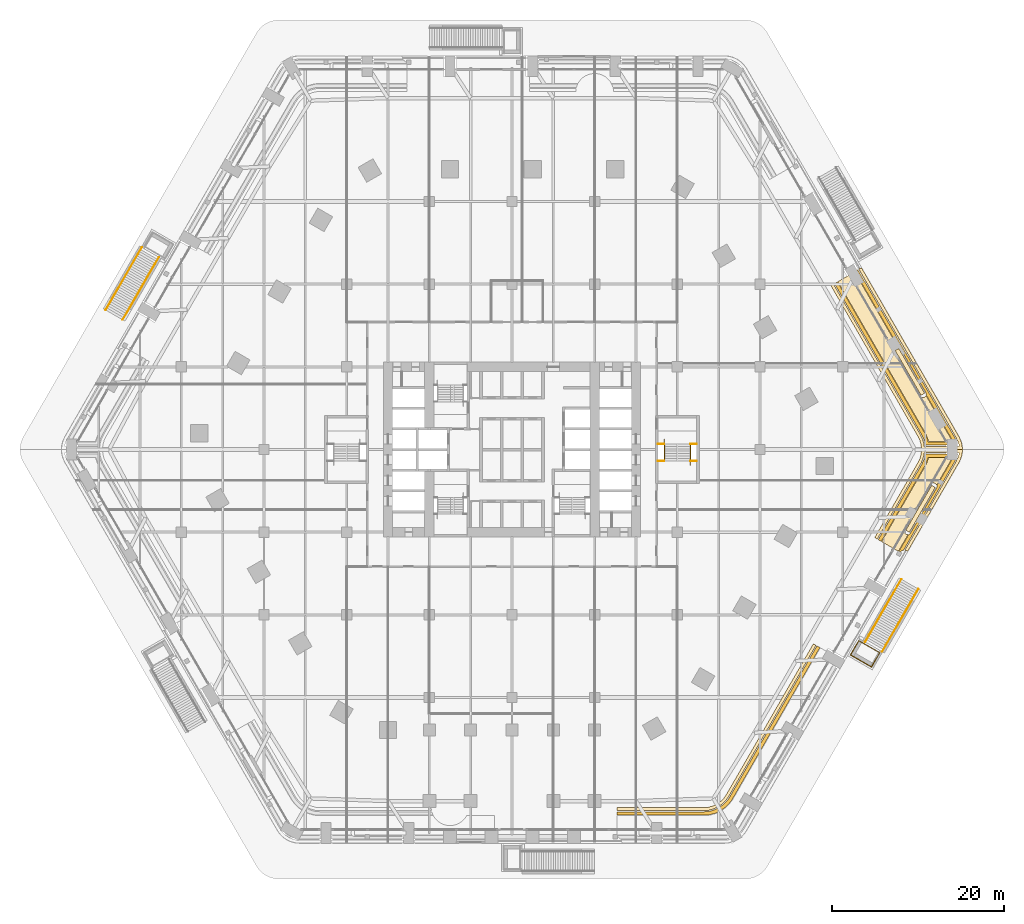
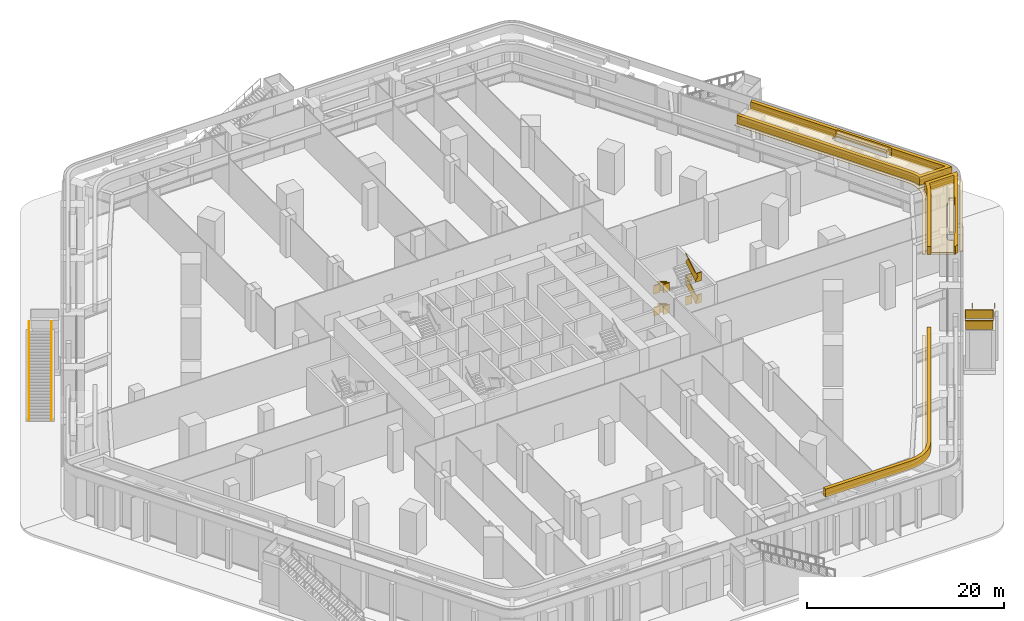
# One storey, part 32 of 34: 10 coverings, 7 railings.
"""IFC4 building model written with IfcOpenShell, lengths in metres."""

from ifc_helpers import new_model, si_unit, direction, frame, frame_2d, origin, origin_2d, place, context, subcontext, project, spatial, polyline, rectangle, circle, outline, extrude, material, layer, layer_set, type_object, element, save


model = new_model("IFC4")

# Units and contexts
model_context = context("Model", 3, precision=1e-05, world=origin(), true_north=direction((0.0, 1.0)))
body_context = subcontext(model_context, "Body", "Model", "MODEL_VIEW")
ifc_project = project(units=[si_unit("LENGTHUNIT", "METRE"), si_unit("AREAUNIT", "SQUARE_METRE"), si_unit("VOLUMEUNIT", "CUBIC_METRE"), si_unit("PLANEANGLEUNIT", "RADIAN"), si_unit("MASSUNIT", "GRAM", prefix="KILO")], contexts=[model_context])

# Site, building, storey
site_placement = place(None, origin())
site = spatial("IfcSite", under=ifc_project, at=site_placement, CompositionType="ELEMENT")
building_placement = place(site_placement, origin())
building = spatial("IfcBuilding", under=site, at=building_placement, Name="Kolab Exchange Tower", CompositionType="ELEMENT")
storey_placement = place(building_placement, frame((0.0, 0.0, 7.0)))
storey = spatial("IfcBuildingStorey", under=building, at=storey_placement, Name="L01", CompositionType="ELEMENT", Elevation=7.0)

# Railings
ifc_material_1 = material(Name="Stainless steel 316", Category="steel")
railing_type_1 = type_object("IfcRailingType", Name="GUARD 1100", PredefinedType="GUARDRAIL", material=ifc_material_1)
railing_1_placement = place(storey_placement, frame((16.949951171875, 0.64990234375, 0.0)))
element("IfcRailing", 1, at=railing_1_placement, inside=storey, type_object=railing_type_1, Name="Guard ST4", PredefinedType="GUARDRAIL", context=body_context, shape_type="SweptSolid", body=[
    extrude(rectangle(XDim=0.05, YDim=0.05, at=origin_2d()), frame((0.0, 0.0, 1.0751953125), z_axis=(1.0, 0.0, 0.0), x_axis=(0.0, 1.0, 0.0)), (0.0, 0.0, 1.0), 0.739990234375),
    extrude(rectangle(XDim=0.012, YDim=1.05009765625, at=frame_2d((0.0, 0.525146484375))), frame((0.0, 0.0, 0.0), z_axis=(1.0, 0.0, 0.0), x_axis=(0.0, 1.0, 0.0)), (0.0, 0.0, 1.0), 0.739990234375),
    extrude(rectangle(XDim=0.05, YDim=0.05, at=origin_2d()), frame((3.760009765625, 0.0, 1.0751953125), z_axis=(1.0, 0.0, 0.0), x_axis=(0.0, 1.0, 0.0)), (0.0, 0.0, 1.0), 0.739990234375),
    extrude(rectangle(XDim=0.012, YDim=1.05009765625, at=frame_2d((0.0, 0.525146484375))), frame((3.760009765625, 0.0, 0.0), z_axis=(1.0, 0.0, 0.0), x_axis=(0.0, 1.0, 0.0)), (0.0, 0.0, 1.0), 0.739990234375),
    extrude(rectangle(XDim=0.05, YDim=0.05, at=origin_2d()), frame((0.0, -1.9599609375, 2.42529296875), z_axis=(1.0, 0.0, 0.0), x_axis=(0.0, 1.0, 0.0)), (0.0, 0.0, 1.0), 0.739990234375),
    extrude(rectangle(XDim=0.012, YDim=1.05009765625, at=frame_2d((0.0, 0.525146484375))), frame((0.0, -1.9599609375, 1.35009765625), z_axis=(1.0, 0.0, 0.0), x_axis=(0.0, 1.0, 0.0)), (0.0, 0.0, 1.0), 0.739990234375),
    extrude(rectangle(XDim=0.05, YDim=0.05, at=origin_2d()), frame((3.760009765625, -1.9599609375, 2.42529296875), z_axis=(1.0, 0.0, 0.0), x_axis=(0.0, 1.0, 0.0)), (0.0, 0.0, 1.0), 0.739990234375),
    extrude(rectangle(XDim=0.012, YDim=1.05009765625, at=frame_2d((0.0, 0.525146484375))), frame((3.760009765625, -1.9599609375, 1.35009765625), z_axis=(1.0, 0.0, 0.0), x_axis=(0.0, 1.0, 0.0)), (0.0, 0.0, 1.0), 0.739990234375),
    extrude(rectangle(XDim=0.05, YDim=0.05, at=origin_2d()), frame((0.0, 0.0, 3.775146484375), z_axis=(1.0, 0.0, 0.0), x_axis=(0.0, 1.0, 0.0)), (0.0, 0.0, 1.0), 0.739990234375),
    extrude(rectangle(XDim=0.012, YDim=1.05009765625, at=frame_2d((0.0, 0.525146484375))), frame((0.0, 0.0, 2.699951171875), z_axis=(1.0, 0.0, 0.0), x_axis=(0.0, 1.0, 0.0)), (0.0, 0.0, 1.0), 0.739990234375),
    extrude(rectangle(XDim=0.05, YDim=0.05, at=origin_2d()), frame((3.760009765625, 0.0, 3.775146484375), z_axis=(1.0, 0.0, 0.0), x_axis=(0.0, 1.0, 0.0)), (0.0, 0.0, 1.0), 0.739990234375),
    extrude(rectangle(XDim=0.012, YDim=1.05009765625, at=frame_2d((0.0, 0.525146484375))), frame((3.760009765625, 0.0, 2.699951171875), z_axis=(1.0, 0.0, 0.0), x_axis=(0.0, 1.0, 0.0)), (0.0, 0.0, 1.0), 0.739990234375),
    extrude(rectangle(XDim=0.05, YDim=0.05, at=origin_2d()), frame((0.0, -1.9599609375, 5.125244140625), z_axis=(1.0, 0.0, 0.0), x_axis=(0.0, 1.0, 0.0)), (0.0, 0.0, 1.0), 0.739990234375),
    extrude(rectangle(XDim=0.012, YDim=1.05009765625, at=frame_2d((0.0, 0.525146484375))), frame((0.0, -1.9599609375, 4.050048828125), z_axis=(1.0, 0.0, 0.0), x_axis=(0.0, 1.0, 0.0)), (0.0, 0.0, 1.0), 0.739990234375),
    extrude(rectangle(XDim=0.05, YDim=0.05, at=origin_2d()), frame((3.760009765625, -1.9599609375, 5.125244140625), z_axis=(1.0, 0.0, 0.0), x_axis=(0.0, 1.0, 0.0)), (0.0, 0.0, 1.0), 0.739990234375),
    extrude(rectangle(XDim=0.012, YDim=1.05009765625, at=frame_2d((0.0, 0.525146484375))), frame((3.760009765625, -1.9599609375, 4.050048828125), z_axis=(1.0, 0.0, 0.0), x_axis=(0.0, 1.0, 0.0)), (0.0, 0.0, 1.0), 0.739990234375),
])
railing_2_placement = place(storey_placement, frame((17.68994140625, 0.64990234375, 0.168701171875)))
element("IfcRailing", 2, at=railing_2_placement, inside=storey, type_object=railing_type_1, Name="Handrail guard ST4", PredefinedType="GUARDRAIL", context=body_context, shape_type="SweptSolid", body=[
    extrude(rectangle(XDim=0.05, YDim=0.05, at=origin_2d()), frame((0.0, 0.0, 1.0751953125), z_axis=(0.0, -0.856446297458, 0.516236127728), x_axis=(1.0, 0.0, 0.0)), (0.0, 0.0, 1.0), 2.28857421875),
    extrude(rectangle(XDim=0.012, YDim=1.05009765625, at=frame_2d((0.0, 0.525146484375))), frame((0.0, 0.0, 0.0), z_axis=(0.0, -0.856446297458, 0.516236127728), x_axis=(1.0, 0.0, 0.0)), (0.0, 0.0, 1.0), 2.28857421875),
    extrude(rectangle(XDim=0.05, YDim=0.05, at=origin_2d()), frame((3.02001953125, -1.9599609375, 2.42529296875), z_axis=(0.0, 0.856493463811, 0.516157869696), x_axis=(-1.0, 0.0, 0.0)), (0.0, 0.0, 1.0), 2.288330078125),
    extrude(rectangle(XDim=0.012, YDim=1.05009765625, at=frame_2d((0.0, 0.525146484375))), frame((3.02001953125, -1.9599609375, 1.35009765625), z_axis=(0.0, 0.856493463811, 0.516157869696), x_axis=(-1.0, 0.0, 0.0)), (0.0, 0.0, 1.0), 2.288330078125),
    extrude(rectangle(XDim=0.05, YDim=0.05, at=origin_2d()), frame((0.0, 0.0, 3.775146484375), z_axis=(0.0, -0.856446297458, 0.516236127728), x_axis=(1.0, 0.0, 0.0)), (0.0, 0.0, 1.0), 2.28857421875),
    extrude(rectangle(XDim=0.012, YDim=1.05009765625, at=frame_2d((0.0, 0.525146484375))), frame((0.0, 0.0, 2.699951171875), z_axis=(0.0, -0.856446297458, 0.516236127728), x_axis=(1.0, 0.0, 0.0)), (0.0, 0.0, 1.0), 2.28857421875),
    extrude(rectangle(XDim=0.05, YDim=0.05, at=origin_2d()), frame((3.02001953125, -1.9599609375, 5.125244140625), z_axis=(0.0, 0.856493463811, 0.516157869696), x_axis=(-1.0, 0.0, 0.0)), (0.0, 0.0, 1.0), 2.288330078125),
    extrude(rectangle(XDim=0.012, YDim=1.05009765625, at=frame_2d((0.0, 0.525146484375))), frame((3.02001953125, -1.9599609375, 4.050048828125), z_axis=(0.0, 0.856493463811, 0.516157869696), x_axis=(-1.0, 0.0, 0.0)), (0.0, 0.0, 1.0), 2.288330078125),
])
ifc_material_2 = material(Name="Steel S235", Category="steel")
railing_type_2 = type_object("IfcRailingType", Name="GUARD 1100 GLASS BALUSTRADE AND STEEL TOP RAIL", PredefinedType="GUARDRAIL", material=ifc_material_2)
railing_3_placement = place(storey_placement, frame((47.18603515625, -16.203857421875, 0.174072265625)))
element("IfcRailing", 3, at=railing_3_placement, inside=storey, type_object=railing_type_2, Name="Stair guard", PredefinedType="GUARDRAIL", context=body_context, shape_type="SweptSolid", body=[
    extrude(circle(Radius=0.02490234375, at=origin_2d()), frame((0.0, 0.0, 1.0751953125), z_axis=(-0.424562036824, -0.735333353362, 0.528234736004), x_axis=(0.866016669275, -0.500015128309, 0.0)), (0.0, 0.0, 1.0), 9.89306640625),
    extrude(circle(Radius=0.02001953125, at=origin_2d()), origin(), (0.0, 0.0, 1.0), 1.050048828125),
    extrude(circle(Radius=0.02001953125, at=origin_2d()), frame((-0.466796875, -0.808349609375, 0.58056640625)), (0.0, 0.0, 1.0), 1.050048828125),
    extrude(circle(Radius=0.02001953125, at=origin_2d()), frame((-0.933349609375, -1.61669921875, 1.161376953125)), (0.0, 0.0, 1.0), 1.050048828125),
    extrude(circle(Radius=0.02001953125, at=origin_2d()), frame((-1.400146484375, -2.4248046875, 1.741943359375)), (0.0, 0.0, 1.0), 1.050048828125),
    extrude(circle(Radius=0.02001953125, at=origin_2d()), frame((-1.86669921875, -3.233154296875, 2.322509765625)), (0.0, 0.0, 1.0), 1.050048828125),
    extrude(circle(Radius=0.02001953125, at=origin_2d()), frame((-2.33349609375, -4.04150390625, 2.9033203125)), (0.0, 0.0, 1.0), 1.050048828125),
    extrude(circle(Radius=0.02001953125, at=origin_2d()), frame((-2.800048828125, -4.849853515625, 3.48388671875)), (0.0, 0.0, 1.0), 1.050048828125),
    extrude(circle(Radius=0.02001953125, at=origin_2d()), frame((-3.266845703125, -5.657958984375, 4.064453125)), (0.0, 0.0, 1.0), 1.050048828125),
    extrude(circle(Radius=0.02001953125, at=origin_2d()), frame((-3.7333984375, -6.46630859375, 4.645263671875)), (0.0, 0.0, 1.0), 1.050048828125),
    extrude(circle(Radius=0.02001953125, at=origin_2d()), frame((-4.2001953125, -7.274658203125, 5.225830078125)), (0.0, 0.0, 1.0), 1.050048828125),
])
railing_4_placement = place(storey_placement, frame((45.21142578125, -15.06396484375, 0.174072265625)))
element("IfcRailing", 4, at=railing_4_placement, inside=storey, type_object=railing_type_2, Name="Stair guard", PredefinedType="GUARDRAIL", context=body_context, shape_type="SweptSolid", body=[
    extrude(circle(Radius=0.02490234375, at=origin_2d()), frame((0.0, 0.0, 1.0751953125), z_axis=(-0.42454951095, -0.735329723204, 0.52824985653), x_axis=(0.866021988312, -0.500005915725, 0.0)), (0.0, 0.0, 1.0), 9.892822265625),
    extrude(circle(Radius=0.02001953125, at=origin_2d()), origin(), (0.0, 0.0, 1.0), 1.050048828125),
    extrude(circle(Radius=0.02001953125, at=origin_2d()), frame((-0.466552734375, -0.808349609375, 0.58056640625)), (0.0, 0.0, 1.0), 1.050048828125),
    extrude(circle(Radius=0.02001953125, at=origin_2d()), frame((-0.933349609375, -1.616455078125, 1.161376953125)), (0.0, 0.0, 1.0), 1.050048828125),
    extrude(circle(Radius=0.02001953125, at=origin_2d()), frame((-1.39990234375, -2.4248046875, 1.741943359375)), (0.0, 0.0, 1.0), 1.050048828125),
    extrude(circle(Radius=0.02001953125, at=origin_2d()), frame((-1.86669921875, -3.233154296875, 2.322509765625)), (0.0, 0.0, 1.0), 1.050048828125),
    extrude(circle(Radius=0.02001953125, at=origin_2d()), frame((-2.333251953125, -4.041259765625, 2.9033203125)), (0.0, 0.0, 1.0), 1.050048828125),
    extrude(circle(Radius=0.02001953125, at=origin_2d()), frame((-2.800048828125, -4.849609375, 3.48388671875)), (0.0, 0.0, 1.0), 1.050048828125),
    extrude(circle(Radius=0.02001953125, at=origin_2d()), frame((-3.2666015625, -5.657958984375, 4.064453125)), (0.0, 0.0, 1.0), 1.050048828125),
    extrude(circle(Radius=0.02001953125, at=origin_2d()), frame((-3.7333984375, -6.466064453125, 4.645263671875)), (0.0, 0.0, 1.0), 1.050048828125),
    extrude(circle(Radius=0.02001953125, at=origin_2d()), frame((-4.199951171875, -7.2744140625, 5.225830078125)), (0.0, 0.0, 1.0), 1.050048828125),
])
railing_5_placement = place(storey_placement, frame((40.27392578125, -22.195556640625, 5.39990234375)))
element("IfcRailing", 5, at=railing_5_placement, inside=storey, type_object=railing_type_2, Name="Landing guard", PredefinedType="GUARDRAIL", context=body_context, shape_type="SweptSolid", body=[
    extrude(rectangle(XDim=0.05, YDim=0.05, at=origin_2d()), frame((0.0, 0.0, 1.0751953125), z_axis=(0.866018616679, -0.500011755427, 0.0), x_axis=(0.500011755427, 0.866018616679, 0.0)), (0.0, 0.0, 1.0), 2.80029296875),
    extrude(rectangle(XDim=0.012, YDim=1.05009765625, at=frame_2d((0.0, 0.525146484375))), frame((0.0, 0.0, 0.0), z_axis=(0.866018616679, -0.500011755427, 0.0), x_axis=(0.500011755427, 0.866018616679, 0.0)), (0.0, 0.0, 1.0), 2.80029296875),
    extrude(rectangle(XDim=0.05, YDim=0.05, at=origin_2d()), frame((2.425048828125, -1.400146484375, 1.0751953125), z_axis=(-0.500081145431, -0.865978549379, 0.0), x_axis=(0.865978549379, -0.500081145431, 0.0)), (0.0, 0.0, 1.0), 1.905029296875),
    extrude(rectangle(XDim=0.012, YDim=1.05009765625, at=frame_2d((0.0, 0.525146484375))), frame((2.425048828125, -1.400146484375, 0.0), z_axis=(-0.500081145431, -0.865978549379, 0.0), x_axis=(0.865978549379, -0.500081145431, 0.0)), (0.0, 0.0, 1.0), 1.905029296875),
    extrude(rectangle(XDim=0.05, YDim=0.05, at=origin_2d()), frame((1.472412109375, -3.0498046875, 1.0751953125), z_axis=(-0.866034573852, 0.49998411664, 0.0), x_axis=(-0.49998411664, -0.866034573852, 0.0)), (0.0, 0.0, 1.0), 2.7998046875),
    extrude(rectangle(XDim=0.012, YDim=1.05009765625, at=frame_2d((0.0, 0.525146484375))), frame((1.472412109375, -3.0498046875, 0.0), z_axis=(-0.866034573852, 0.49998411664, 0.0), x_axis=(-0.49998411664, -0.866034573852, 0.0)), (0.0, 0.0, 1.0), 2.7998046875),
    extrude(rectangle(XDim=0.05, YDim=0.05, at=origin_2d()), frame((-0.952392578125, -1.64990234375, 1.0751953125), z_axis=(0.499929534118, 0.866066083458, 0.0), x_axis=(-0.866066083458, 0.499929534118, 0.0)), (0.0, 0.0, 1.0), 1.905029296875),
    extrude(rectangle(XDim=0.012, YDim=1.05009765625, at=frame_2d((0.0, 0.525146484375))), frame((-0.952392578125, -1.64990234375, 0.0), z_axis=(0.499929534118, 0.866066083458, 0.0), x_axis=(-0.866066083458, 0.499929534118, 0.0)), (0.0, 0.0, 1.0), 1.905029296875),
])
railing_6_placement = place(storey_placement, frame((-47.18603515625, 16.203857421875, 0.174072265625)))
element("IfcRailing", 6, at=railing_6_placement, inside=storey, type_object=railing_type_2, Name="Stair guard", PredefinedType="GUARDRAIL", context=body_context, shape_type="SweptSolid", body=[
    extrude(circle(Radius=0.02490234375, at=origin_2d()), frame((0.0, 0.0, 1.0751953125), z_axis=(0.424562036824, 0.735333353362, 0.528234736004), x_axis=(-0.866016669275, 0.500015128309, 0.0)), (0.0, 0.0, 1.0), 9.89306640625),
    extrude(circle(Radius=0.02001953125, at=origin_2d()), origin(), (0.0, 0.0, 1.0), 1.050048828125),
    extrude(circle(Radius=0.02001953125, at=origin_2d()), frame((0.466796875, 0.808349609375, 0.58056640625)), (0.0, 0.0, 1.0), 1.050048828125),
    extrude(circle(Radius=0.02001953125, at=origin_2d()), frame((0.933349609375, 1.61669921875, 1.161376953125)), (0.0, 0.0, 1.0), 1.050048828125),
    extrude(circle(Radius=0.02001953125, at=origin_2d()), frame((1.400146484375, 2.4248046875, 1.741943359375)), (0.0, 0.0, 1.0), 1.050048828125),
    extrude(circle(Radius=0.02001953125, at=origin_2d()), frame((1.86669921875, 3.233154296875, 2.322509765625)), (0.0, 0.0, 1.0), 1.050048828125),
    extrude(circle(Radius=0.02001953125, at=origin_2d()), frame((2.33349609375, 4.04150390625, 2.9033203125)), (0.0, 0.0, 1.0), 1.050048828125),
    extrude(circle(Radius=0.02001953125, at=origin_2d()), frame((2.800048828125, 4.849853515625, 3.48388671875)), (0.0, 0.0, 1.0), 1.050048828125),
    extrude(circle(Radius=0.02001953125, at=origin_2d()), frame((3.266845703125, 5.657958984375, 4.064453125)), (0.0, 0.0, 1.0), 1.050048828125),
    extrude(circle(Radius=0.02001953125, at=origin_2d()), frame((3.7333984375, 6.46630859375, 4.645263671875)), (0.0, 0.0, 1.0), 1.050048828125),
    extrude(circle(Radius=0.02001953125, at=origin_2d()), frame((4.2001953125, 7.274658203125, 5.225830078125)), (0.0, 0.0, 1.0), 1.050048828125),
])
railing_7_placement = place(storey_placement, frame((-45.21142578125, 15.06396484375, 0.174072265625)))
element("IfcRailing", 7, at=railing_7_placement, inside=storey, type_object=railing_type_2, Name="Stair guard", PredefinedType="GUARDRAIL", context=body_context, shape_type="SweptSolid", body=[
    extrude(circle(Radius=0.02490234375, at=origin_2d()), frame((0.0, 0.0, 1.0751953125), z_axis=(0.42454951095, 0.735329723204, 0.52824985653), x_axis=(-0.866021988312, 0.500005915725, 0.0)), (0.0, 0.0, 1.0), 9.892822265625),
    extrude(circle(Radius=0.02001953125, at=origin_2d()), origin(), (0.0, 0.0, 1.0), 1.050048828125),
    extrude(circle(Radius=0.02001953125, at=origin_2d()), frame((0.466552734375, 0.808349609375, 0.58056640625)), (0.0, 0.0, 1.0), 1.050048828125),
    extrude(circle(Radius=0.02001953125, at=origin_2d()), frame((0.933349609375, 1.616455078125, 1.161376953125)), (0.0, 0.0, 1.0), 1.050048828125),
    extrude(circle(Radius=0.02001953125, at=origin_2d()), frame((1.39990234375, 2.4248046875, 1.741943359375)), (0.0, 0.0, 1.0), 1.050048828125),
    extrude(circle(Radius=0.02001953125, at=origin_2d()), frame((1.86669921875, 3.233154296875, 2.322509765625)), (0.0, 0.0, 1.0), 1.050048828125),
    extrude(circle(Radius=0.02001953125, at=origin_2d()), frame((2.333251953125, 4.041259765625, 2.9033203125)), (0.0, 0.0, 1.0), 1.050048828125),
    extrude(circle(Radius=0.02001953125, at=origin_2d()), frame((2.800048828125, 4.849609375, 3.48388671875)), (0.0, 0.0, 1.0), 1.050048828125),
    extrude(circle(Radius=0.02001953125, at=origin_2d()), frame((3.2666015625, 5.657958984375, 4.064453125)), (0.0, 0.0, 1.0), 1.050048828125),
    extrude(circle(Radius=0.02001953125, at=origin_2d()), frame((3.7333984375, 6.466064453125, 4.645263671875)), (0.0, 0.0, 1.0), 1.050048828125),
    extrude(circle(Radius=0.02001953125, at=origin_2d()), frame((4.199951171875, 7.2744140625, 5.225830078125)), (0.0, 0.0, 1.0), 1.050048828125),
])

# Coverings
ifc_material_3 = material(Name="Planting soil and turf", Category="soil")
ifc_layer_1 = layer(ifc_material_3, 0.25)
ifc_layer_set_1 = layer_set([ifc_layer_1], Name="Planting soil and turf")
covering_type_1 = type_object("IfcCoveringType", Name="PLANTING SOIL AND TURF 250", PredefinedType="USERDEFINED", material=ifc_layer_set_1)
covering_1_placement = place(storey_placement, frame((0.0, 0.0, 5.39990234375)))
element("IfcCovering", 8, at=covering_1_placement, inside=storey, type_object=covering_type_1, Name="Planting soil and turf", ObjectType="PLANTING", PredefinedType="USERDEFINED", context=body_context, shape_type="SweptSolid", body=[
    extrude(outline(polyline([(44.768310546875, 12.01123046875), (44.73388671875, 12.01513671875), (44.69482421875, 12.015869140625), (44.655517578125, 12.0126953125), (44.616943359375, 12.005615234375), (44.579345703125, 11.994873046875), (44.542724609375, 11.98046875), (44.5078125, 11.96240234375), (44.474853515625, 11.941162109375), (44.444091796875, 11.916748046875), (44.415771484375, 11.889404296875), (44.390380859375, 11.859619140625), (44.3681640625, 11.8271484375), (44.34912109375, 11.79296875), (44.33349609375, 11.7568359375), (44.321533203125, 11.719482421875), (44.313232421875, 11.68115234375), (44.30859375, 11.64208984375), (44.30810546875, 11.60302734375), (44.311279296875, 11.563720703125), (44.318359375, 11.525146484375), (44.3291015625, 11.487548828125), (44.343505859375, 11.450927734375), (44.361328125, 11.416015625), (47.361328125, 6.219970703125), (47.3828125, 6.18701171875), (47.406982421875, 6.15625), (47.434326171875, 6.1279296875), (47.46435546875, 6.1025390625), (47.49658203125, 6.080322265625), (47.531005859375, 6.06103515625), (47.56689453125, 6.04541015625), (47.604248046875, 6.033447265625), (47.642578125, 6.025146484375), (47.681640625, 6.020751953125), (47.720947265625, 6.02001953125), (47.760009765625, 6.023193359375), (47.798583984375, 6.0302734375), (47.83642578125, 6.041015625), (47.872802734375, 6.0556640625), (47.90771484375, 6.073486328125), (47.94091796875, 6.0947265625), (47.9716796875, 6.119140625), (47.999755859375, 6.146484375), (48.025146484375, 6.17626953125), (48.047607421875, 6.208740234375), (48.066650390625, 6.242919921875), (48.080322265625, 6.274658203125), (51.090576171875, 1.06103515625), (51.142333984375, 0.949951171875), (48.35888671875, 0.949951171875), (48.2509765625, 1.352294921875), (47.9775390625, 1.93896484375), (37.8427734375, 19.492919921875), (39.79736328125, 20.621337890625), (44.768310546875, 12.01123046875)])), origin(), (0.0, 0.0, 1.0), 0.25),
])
covering_2_placement = place(storey_placement, frame((0.0, 0.0, 5.39990234375)))
element("IfcCovering", 9, at=covering_2_placement, inside=storey, type_object=covering_type_1, Name="Planting soil and turf", ObjectType="PLANTING", PredefinedType="USERDEFINED", context=body_context, shape_type="SweptSolid", body=[
    extrude(outline(polyline([(47.9775390625, -1.93896484375), (48.2509765625, -1.352294921875), (48.35888671875, -0.949951171875), (51.142333984375, -0.949951171875), (51.090576171875, -1.06103515625), (49.313720703125, -4.138427734375), (49.300048828125, -4.106689453125), (49.281005859375, -4.072265625), (49.258544921875, -4.0400390625), (49.233154296875, -4.01025390625), (49.205078125, -3.98291015625), (49.17431640625, -3.95849609375), (49.14111328125, -3.937255859375), (49.106201171875, -3.919189453125), (49.06982421875, -3.90478515625), (49.031982421875, -3.89404296875), (48.993408203125, -3.886962890625), (48.954345703125, -3.8837890625), (48.9150390625, -3.884521484375), (48.8759765625, -3.888916015625), (48.837646484375, -3.897216796875), (48.80029296875, -3.9091796875), (48.764404296875, -3.9248046875), (48.72998046875, -3.94384765625), (48.69775390625, -3.96630859375), (48.667724609375, -3.99169921875), (48.640380859375, -4.019775390625), (48.6162109375, -4.050537109375), (48.5947265625, -4.08349609375), (45.5947265625, -9.27978515625), (45.576904296875, -9.314697265625), (45.5625, -9.35107421875), (45.5517578125, -9.388916015625), (45.544677734375, -9.427490234375), (45.54150390625, -9.466552734375), (45.5419921875, -9.505859375), (45.546630859375, -9.544921875), (45.554931640625, -9.583251953125), (45.56689453125, -9.62060546875), (45.58251953125, -9.65673828125), (45.6015625, -9.69091796875), (45.623779296875, -9.72314453125), (45.649169921875, -9.753173828125), (45.677490234375, -9.780517578125), (45.708251953125, -9.804931640625), (45.7412109375, -9.826171875), (45.776123046875, -9.843994140625), (45.812744140625, -9.8583984375), (45.850341796875, -9.869384765625), (45.888916015625, -9.876220703125), (45.92822265625, -9.879638671875), (45.96728515625, -9.87890625), (46.001708984375, -9.875), (44.877197265625, -11.822509765625), (42.922607421875, -10.694091796875), (47.9775390625, -1.93896484375)])), origin(), (0.0, 0.0, 1.0), 0.25),
])
covering_3_placement = place(storey_placement, frame((0.0, 0.0, 6.10009765625)))
element("IfcCovering", 10, at=covering_3_placement, inside=storey, type_object=covering_type_1, Name="Planting soil and turf", ObjectType="PLANTING", PredefinedType="USERDEFINED", context=body_context, shape_type="SweptSolid", body=[
    extrude(outline(polyline([(47.915771484375, 6.539794921875), (47.5, 6.2998046875), (44.5, 11.49609375), (44.915771484375, 11.736083984375), (47.915771484375, 6.539794921875)])), origin(), (0.0, 0.0, 1.0), 0.2998046875),
])
covering_4_placement = place(storey_placement, frame((0.0, 0.0, 6.10009765625)))
element("IfcCovering", 11, at=covering_4_placement, inside=storey, type_object=covering_type_1, Name="Planting soil and turf", ObjectType="PLANTING", PredefinedType="USERDEFINED", context=body_context, shape_type="SweptSolid", body=[
    extrude(outline(polyline([(46.149169921875, -9.599853515625), (45.7333984375, -9.359619140625), (48.7333984375, -4.16357421875), (49.149169921875, -4.403564453125), (46.149169921875, -9.599853515625)])), origin(), (0.0, 0.0, 1.0), 0.2998046875),
])
ifc_material_4 = material(Name="Limestone coping", Category="masonry")
ifc_layer_2 = layer(ifc_material_4, 0.050048828125)
ifc_layer_set_2 = layer_set([ifc_layer_2], Name="Limestone coping")
covering_type_2 = type_object("IfcCoveringType", Name="TERRACE EDGE BAND LIMESTONE 50", PredefinedType="CLADDING", material=ifc_layer_set_2)
covering_5_placement = place(storey_placement, frame((0.0, 0.0, 5.39990234375)))
element("IfcCovering", 12, at=covering_5_placement, inside=storey, type_object=covering_type_2, Name="Terrace edge band", PredefinedType="CLADDING", context=body_context, shape_type="SweptSolid", body=[
    extrude(outline(polyline([(51.916259765625, 1.49072265625), (52.13623046875, 1.019287109375), (52.2705078125, 0.517578125), (52.31396484375, 0.02001953125), (47.55419921875, 0.02001953125), (47.510009765625, 0.5244140625), (47.373779296875, 1.032958984375), (47.151611328125, 1.50927734375), (37.037353515625, 19.02783203125), (37.34033203125, 19.202880859375), (47.46240234375, 1.6708984375), (47.7041015625, 1.153076171875), (47.856201171875, 0.58544921875), (47.875, 0.3701171875), (51.93212890625, 0.3701171875), (51.924560546875, 0.45654296875), (51.805908203125, 0.89892578125), (51.60546875, 1.3291015625), (40.25390625, 20.990234375), (40.324462890625, 20.99609375), (40.401611328125, 21.010009765625), (40.47705078125, 21.03173828125), (40.550048828125, 21.060546875), (40.602294921875, 21.087158203125), (51.916259765625, 1.49072265625)])), origin(), (0.0, 0.0, 1.0), 0.050048828125),
])
covering_6_placement = place(storey_placement, frame((0.0, 0.0, 5.39990234375)))
element("IfcCovering", 13, at=covering_6_placement, inside=storey, type_object=covering_type_2, Name="Terrace edge band", PredefinedType="CLADDING", context=body_context, shape_type="SweptSolid", body=[
    extrude(outline(polyline([(22.268798828125, -41.589111328125), (22.79248046875, -41.54345703125), (23.30078125, -41.4072265625), (23.778076171875, -41.1845703125), (24.209228515625, -40.8828125), (24.58154296875, -40.510498046875), (24.8828125, -40.080078125), (34.997314453125, -22.561279296875), (35.300537109375, -22.736328125), (25.178466796875, -40.268310546875), (24.8505859375, -40.736328125), (24.43505859375, -41.15185546875), (23.95361328125, -41.489013671875), (23.421142578125, -41.7373046875), (22.853271484375, -41.889404296875), (22.2841796875, -41.939208984375), (12.199951171875, -41.939208984375), (12.199951171875, -41.589111328125), (22.268798828125, -41.589111328125)])), origin(), (0.0, 0.0, 1.0), 0.050048828125),
])
covering_7_placement = place(storey_placement, frame((0.0, 0.0, 5.39990234375)))
element("IfcCovering", 14, at=covering_7_placement, inside=storey, type_object=covering_type_2, Name="Terrace edge band", PredefinedType="CLADDING", context=body_context, shape_type="SweptSolid", body=[
    extrude(outline(polyline([(47.151611328125, -1.50927734375), (47.373779296875, -1.032958984375), (47.510009765625, -0.5244140625), (47.55419921875, -0.02001953125), (52.31396484375, -0.02001953125), (52.2705078125, -0.517578125), (52.13623046875, -1.019287109375), (51.916259765625, -1.49072265625), (45.962158203125, -11.803466796875), (45.91015625, -11.776611328125), (45.837158203125, -11.747802734375), (45.76171875, -11.726318359375), (45.684326171875, -11.712158203125), (45.614013671875, -11.70654296875), (51.60546875, -1.3291015625), (51.805908203125, -0.89892578125), (51.924560546875, -0.45654296875), (51.93212890625, -0.3701171875), (47.875, -0.3701171875), (47.856201171875, -0.58544921875), (47.7041015625, -1.153076171875), (47.46240234375, -1.6708984375), (42.42041015625, -10.404052734375), (42.117431640625, -10.22900390625), (47.151611328125, -1.50927734375)])), origin(), (0.0, 0.0, 1.0), 0.050048828125),
])
ifc_material_5 = material(Name="Terrace hedge planting", Category="soil")
ifc_layer_3 = layer(ifc_material_5, 1.0)
ifc_layer_set_3 = layer_set([ifc_layer_3], Name="Terrace hedge planting")
covering_type_3 = type_object("IfcCoveringType", Name="TERRACE HEDGE 1000 X 400", PredefinedType="USERDEFINED", material=ifc_layer_set_3)
covering_8_placement = place(storey_placement, frame((0.0, 0.0, 5.39990234375)))
element("IfcCovering", 15, at=covering_8_placement, inside=storey, type_object=covering_type_3, Name="Terrace hedge", ObjectType="PLANTING", PredefinedType="USERDEFINED", context=body_context, shape_type="SweptSolid", body=[
    extrude(outline(polyline([(51.489990234375, 1.268798828125), (51.683349609375, 0.8544921875), (51.7783203125, 0.5), (47.994140625, 0.5), (47.984619140625, 0.608154296875), (47.82666015625, 1.19775390625), (47.577880859375, 1.731201171875), (37.453125, 19.267822265625), (37.79931640625, 19.468017578125), (47.93310546875, 1.916015625), (48.203857421875, 1.3349609375), (48.320556640625, 0.89990234375), (51.220703125, 0.89990234375), (51.135009765625, 1.083984375), (48.099609375, 6.34130859375), (48.1025390625, 6.354736328125), (48.10693359375, 6.393798828125), (48.107666015625, 6.432861328125), (48.1044921875, 6.47216796875), (48.097412109375, 6.5107421875), (48.086669921875, 6.548583984375), (48.072265625, 6.5849609375), (48.05419921875, 6.619873046875), (45.05419921875, 11.816162109375), (45.032958984375, 11.84912109375), (45.008544921875, 11.8798828125), (44.981201171875, 11.907958984375), (44.951416015625, 11.933349609375), (44.9189453125, 11.955810546875), (44.884765625, 11.974853515625), (44.8486328125, 11.990478515625), (44.835693359375, 11.99462890625), (39.840576171875, 20.646484375), (39.8779296875, 20.66796875), (39.94384765625, 20.71044921875), (40.00537109375, 20.75927734375), (40.061767578125, 20.81396484375), (40.112548828125, 20.873779296875), (40.14453125, 20.919921875), (51.489990234375, 1.268798828125)])), origin(), (0.0, 0.0, 1.0), 1.0),
])
covering_9_placement = place(storey_placement, frame((0.0, 0.0, 5.39990234375)))
element("IfcCovering", 16, at=covering_9_placement, inside=storey, type_object=covering_type_3, Name="Terrace hedge", ObjectType="PLANTING", PredefinedType="USERDEFINED", context=body_context, shape_type="SweptSolid", body=[
    extrude(outline(polyline([(22.289794921875, -42.0693359375), (22.8759765625, -42.017822265625), (23.465576171875, -41.85986328125), (24.018798828125, -41.60205078125), (24.51904296875, -41.251953125), (24.95068359375, -40.8203125), (25.2880859375, -40.338134765625), (35.4130859375, -22.80126953125), (35.759521484375, -23.001220703125), (25.625732421875, -40.55322265625), (25.258056640625, -41.078369140625), (24.777099609375, -41.559326171875), (24.2197265625, -41.94970703125), (23.60302734375, -42.2373046875), (22.94580078125, -42.413330078125), (22.30712890625, -42.46923828125), (12.199951171875, -42.46923828125), (12.199951171875, -42.0693359375), (22.289794921875, -42.0693359375)])), origin(), (0.0, 0.0, 1.0), 1.0),
])
covering_10_placement = place(storey_placement, frame((0.0, 0.0, 5.39990234375)))
element("IfcCovering", 17, at=covering_10_placement, inside=storey, type_object=covering_type_3, Name="Terrace hedge", ObjectType="PLANTING", PredefinedType="USERDEFINED", context=body_context, shape_type="SweptSolid", body=[
    extrude(outline(polyline([(47.577880859375, -1.731201171875), (47.82666015625, -1.19775390625), (47.984619140625, -0.608154296875), (47.994140625, -0.5), (51.7783203125, -0.5), (51.683349609375, -0.8544921875), (51.489990234375, -1.268798828125), (45.458984375, -11.715087890625), (45.44970703125, -11.716064453125), (45.373046875, -11.732666015625), (45.298095703125, -11.756591796875), (45.22607421875, -11.787841796875), (45.157470703125, -11.825927734375), (45.093017578125, -11.87060546875), (45.03466796875, -11.920166015625), (45.02392578125, -11.91162109375), (44.957763671875, -11.869140625), (44.920654296875, -11.84765625), (46.069091796875, -9.8583984375), (46.08203125, -9.85400390625), (46.1181640625, -9.83837890625), (46.15234375, -9.8193359375), (46.184814453125, -9.797119140625), (46.214599609375, -9.771728515625), (46.241943359375, -9.743408203125), (46.266357421875, -9.712646484375), (46.28759765625, -9.6796875), (49.28759765625, -4.483642578125), (49.3056640625, -4.44873046875), (49.320068359375, -4.412109375), (49.330810546875, -4.37451171875), (49.337890625, -4.335693359375), (49.341064453125, -4.296630859375), (49.34033203125, -4.25732421875), (49.3359375, -4.218505859375), (49.3330078125, -4.205078125), (51.135009765625, -1.083984375), (51.220703125, -0.89990234375), (48.320556640625, -0.89990234375), (48.203857421875, -1.3349609375), (47.93310546875, -1.916015625), (42.87939453125, -10.669189453125), (42.532958984375, -10.468994140625), (47.577880859375, -1.731201171875)])), origin(), (0.0, 0.0, 1.0), 1.0),
])

save(model, "model.ifc")
